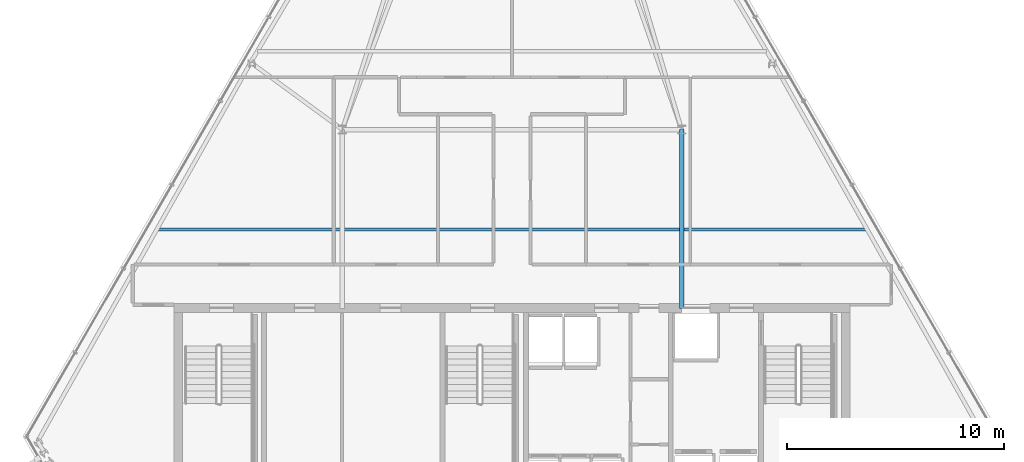
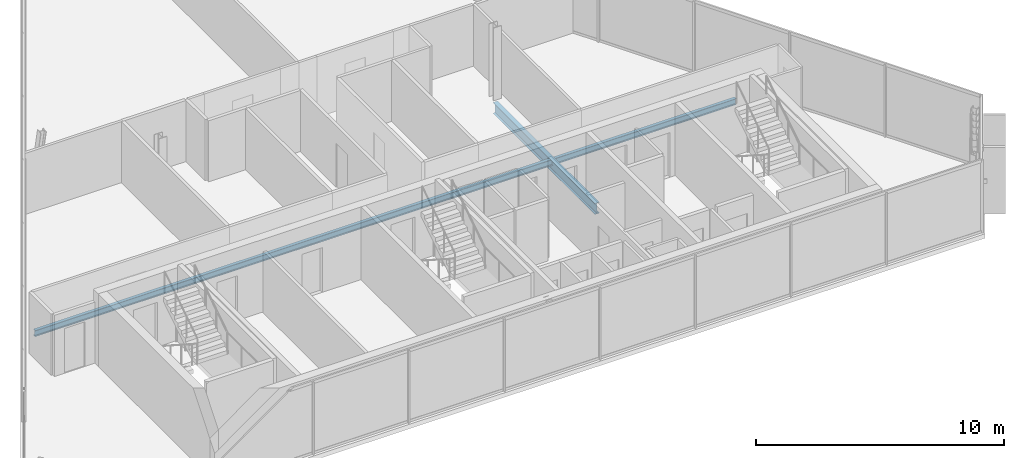
# One storey, part 10 of 32: 2 beams.
"""IFC4 building model written with IfcOpenShell, lengths in metres."""

from ifc_helpers import new_model, si_unit, direction, frame, origin, origin_2d, place, context, subcontext, project, spatial, i_section, extrude, material, material_profile, profile_set, type_object, element, save


model = new_model("IFC4")

# Units and contexts
model_context = context("Model", 3, precision=1e-05, world=origin(), true_north=direction((0.0, 1.0)))
body_context = subcontext(model_context, "Body", "Model", "MODEL_VIEW")
ifc_project = project(units=[si_unit("LENGTHUNIT", "METRE"), si_unit("AREAUNIT", "SQUARE_METRE"), si_unit("VOLUMEUNIT", "CUBIC_METRE"), si_unit("PLANEANGLEUNIT", "RADIAN"), si_unit("MASSUNIT", "GRAM", prefix="KILO")], contexts=[model_context])

# Site, building, storey
site_placement = place(None, origin())
site = spatial("IfcSite", under=ifc_project, at=site_placement, CompositionType="ELEMENT")
building_placement = place(site_placement, origin())
building = spatial("IfcBuilding", under=site, at=building_placement, Name="Ndaravel Arena Tower", CompositionType="ELEMENT")
storey_placement = place(building_placement, frame((0.0, 0.0, 290.89990234375)))
storey = spatial("IfcBuildingStorey", under=building, at=storey_placement, Name="L71", CompositionType="ELEMENT", Elevation=290.89990234375)

# Beams
ifc_material_1 = material(Name="Steel S355", Category="steel")
ifc_material_profile_1 = material_profile(ifc_material_1, i_section(OverallWidth=0.210693359375, OverallDepth=0.53955078125, WebThickness=0.01171875, FlangeThickness=0.018798828125, FilletRadius=0.0126953125, at=origin_2d()), Name="UB 533x210x109")
ifc_profile_set_1 = profile_set([ifc_material_profile_1], Name="Steel S355")
beam_type_1 = type_object("IfcBeamType", Name="BM-GIRD-UB533", PredefinedType="BEAM", material=ifc_profile_set_1)
beam_1_placement = place(storey_placement, frame((49.800048828125, 14.97998046875, -0.489501953125), z_axis=(0.0, 1.0, 0.0), x_axis=(-1.0, 0.0, 0.0)))
element("IfcBeam", 1, at=beam_1_placement, inside=storey, type_object=beam_type_1, Name="L71 Spine Link Girder SLG-02", PredefinedType="BEAM", context=body_context, shape_type="SweptSolid", body=[
    extrude(i_section(OverallWidth=0.210693359375, OverallDepth=0.53955078125, WebThickness=0.01171875, FlangeThickness=0.018798828125, FilletRadius=0.0126953125, at=origin_2d()), origin(), (0.0, 0.0, 1.0), 8.219970703125),
])
ifc_material_2 = material(Name="Steel S355", Category="steel")
ifc_material_profile_2 = material_profile(ifc_material_2, i_section(OverallWidth=0.14990234375, OverallDepth=0.300048828125, WebThickness=0.007080078125, FlangeThickness=0.0107421875, FilletRadius=0.014892578125, at=origin_2d()), Name="IPE 300")
ifc_profile_set_2 = profile_set([ifc_material_profile_2], Name="Steel S355")
beam_type_2 = type_object("IfcBeamType", Name="BM-JOIST-IPE300", PredefinedType="JOIST", material=ifc_profile_set_2)
beam_2_placement = place(storey_placement, frame((25.664306640625, 18.60009765625, -0.369873046875), z_axis=(1.0, 0.0, 0.0), x_axis=(0.0, 1.0, 0.0)))
element("IfcBeam", 2, at=beam_2_placement, inside=storey, type_object=beam_type_2, Name="L71 Composite Floor Joist FJ-01", PredefinedType="JOIST", context=body_context, shape_type="SweptSolid", body=[
    extrude(i_section(OverallWidth=0.14990234375, OverallDepth=0.300048828125, WebThickness=0.007080078125, FlangeThickness=0.0107421875, FilletRadius=0.014892578125, at=origin_2d()), origin(), (0.0, 0.0, 1.0), 32.67138671875),
])

save(model, "model.ifc")
